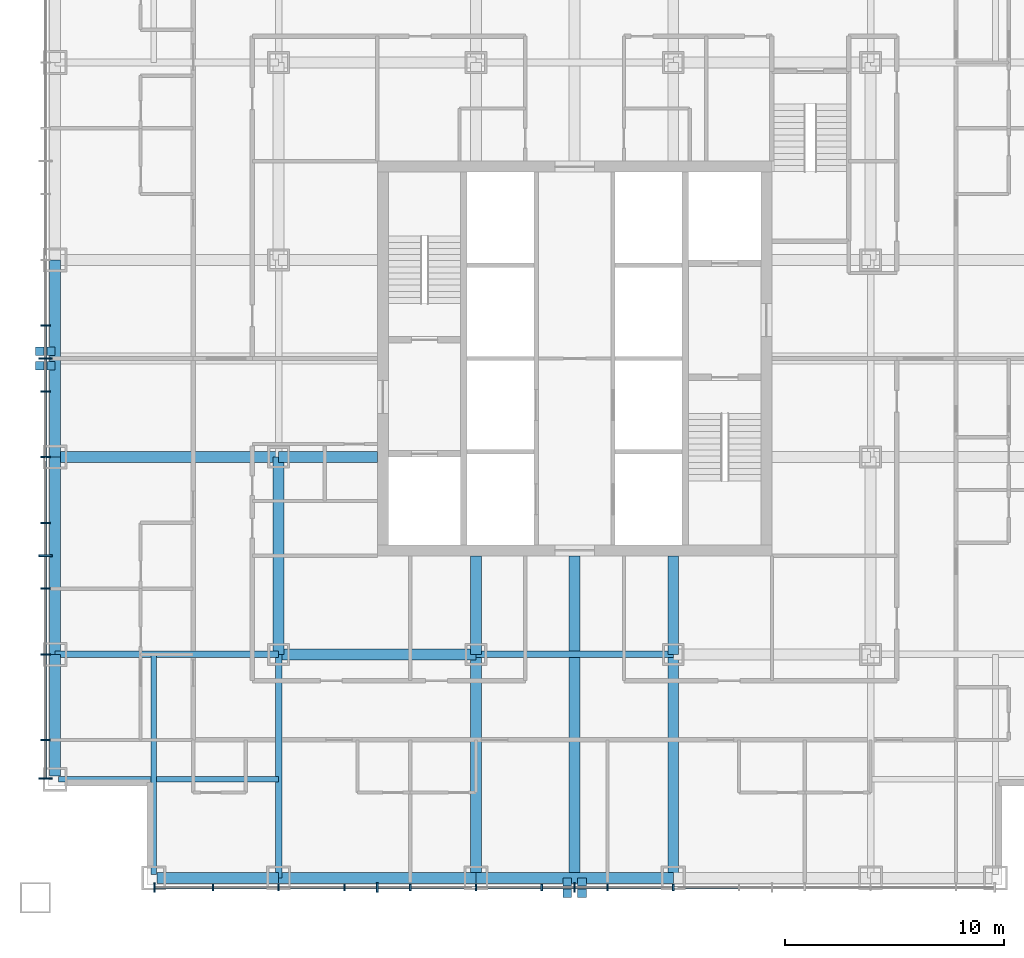
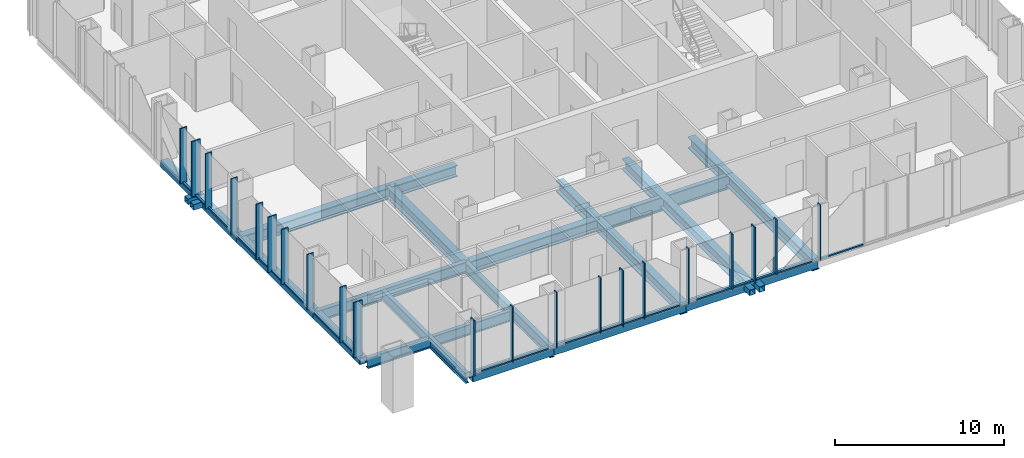
# One storey, part 2 of 17: 45 members, 20 beams, 2 elements without a shape of their own.
"""IFC4 building model written with IfcOpenShell, lengths in metres."""

from ifc_helpers import new_model, si_unit, direction, frame, origin, origin_2d, place, context, subcontext, project, spatial, rectangle, hollow_rectangle, i_section, extrude, material, layer, layer_set, material_profile, profile_set, type_object, element, aggregate, save


model = new_model("IFC4")

# Units and contexts
model_context = context("Model", 3, precision=1e-05, world=origin(), true_north=direction((0.0, 1.0)))
body_context = subcontext(model_context, "Body", "Model", "MODEL_VIEW")
ifc_project = project(units=[si_unit("LENGTHUNIT", "METRE"), si_unit("AREAUNIT", "SQUARE_METRE"), si_unit("VOLUMEUNIT", "CUBIC_METRE"), si_unit("PLANEANGLEUNIT", "RADIAN"), si_unit("MASSUNIT", "GRAM", prefix="KILO")], contexts=[model_context])

# Site, building, storey
site_placement = place(None, origin())
site = spatial("IfcSite", under=ifc_project, at=site_placement, CompositionType="ELEMENT")
building_placement = place(site_placement, origin())
building = spatial("IfcBuilding", under=site, at=building_placement, Name="Malebo Sky Hospital", CompositionType="ELEMENT")
storey_placement = place(building_placement, frame((0.0, 0.0, 120.0)))
storey = spatial("IfcBuildingStorey", under=building, at=storey_placement, Name="L28", CompositionType="ELEMENT", Elevation=120.0)

# Curtain wall, members
ifc_material_1 = material(Name="Anodised aluminium, natural silver", Category="aluminium")
ifc_layer_1 = layer(ifc_material_1, 0.25)
ifc_layer_set_1 = layer_set([ifc_layer_1], Name="WARD CURTAIN WALL EAST AND WEST")
curtain_wall_type_1 = type_object("IfcCurtainWallType", Name="WARD CURTAIN WALL EAST AND WEST", PredefinedType="NOTDEFINED", material=ifc_layer_set_1)
curtain_wall_1_placement = place(storey_placement, origin())
curtain_wall_1 = element("IfcCurtainWall", 1, at=curtain_wall_1_placement, inside=storey, type_object=curtain_wall_type_1, Name="EW curtain wall W", PredefinedType="NOTDEFINED")
ifc_material_profile_1 = material_profile(ifc_material_1, rectangle(XDim=0.14990234375, YDim=0.10009765625, at=origin_2d()), Name="ALUMINIUM TRANSOM 150x100")
ifc_profile_set_1 = profile_set([ifc_material_profile_1], Name="Anodised aluminium, natural silver")
member_type_1 = type_object("IfcMemberType", Name="ALUMINIUM TRANSOM 150x100", PredefinedType="USERDEFINED", material=ifc_profile_set_1)
member_1_placement = place(storey_placement, frame((35.864990234375, 42.875, 0.050048828125), z_axis=(0.0, 1.0, 0.0), x_axis=(-1.0, 0.0, 0.0)))
member_1 = element("IfcMember", 2, at=member_1_placement, type_object=member_type_1, Name="Transom 1", ObjectType="TRANSOM", PredefinedType="USERDEFINED", context=body_context, shape_type="SweptSolid", body=[
    extrude(rectangle(XDim=0.14990234375, YDim=0.10009765625, at=origin_2d()), origin(), (0.0, 0.0, 1.0), 1.6875),
])
member_2_placement = place(storey_placement, frame((35.864990234375, 44.637451171875, 0.050048828125), z_axis=(0.0, 1.0, 0.0), x_axis=(-1.0, 0.0, 0.0)))
member_2 = element("IfcMember", 3, at=member_2_placement, type_object=member_type_1, Name="Transom 2", ObjectType="TRANSOM", PredefinedType="USERDEFINED", context=body_context, shape_type="SweptSolid", body=[
    extrude(rectangle(XDim=0.14990234375, YDim=0.10009765625, at=origin_2d()), origin(), (0.0, 0.0, 1.0), 3.824951171875),
])
member_3_placement = place(storey_placement, frame((35.864990234375, 48.53759765625, 0.050048828125), z_axis=(0.0, 1.0, 0.0), x_axis=(-1.0, 0.0, 0.0)))
member_3 = element("IfcMember", 4, at=member_3_placement, type_object=member_type_1, Name="Transom 3", ObjectType="TRANSOM", PredefinedType="USERDEFINED", context=body_context, shape_type="SweptSolid", body=[
    extrude(rectangle(XDim=0.14990234375, YDim=0.10009765625, at=origin_2d()), origin(), (0.0, 0.0, 1.0), 2.9248046875),
])
member_4_placement = place(storey_placement, frame((35.864990234375, 51.53759765625, 0.050048828125), z_axis=(0.0, 1.0, 0.0), x_axis=(-1.0, 0.0, 0.0)))
member_4 = element("IfcMember", 5, at=member_4_placement, type_object=member_type_1, Name="Transom 4", ObjectType="TRANSOM", PredefinedType="USERDEFINED", context=body_context, shape_type="SweptSolid", body=[
    extrude(rectangle(XDim=0.14990234375, YDim=0.10009765625, at=origin_2d()), origin(), (0.0, 0.0, 1.0), 1.4248046875),
])
member_5_placement = place(storey_placement, frame((35.864990234375, 53.03759765625, 0.050048828125), z_axis=(0.0, 1.0, 0.0), x_axis=(-1.0, 0.0, 0.0)))
member_5 = element("IfcMember", 6, at=member_5_placement, type_object=member_type_1, Name="Transom 5", ObjectType="TRANSOM", PredefinedType="USERDEFINED", context=body_context, shape_type="SweptSolid", body=[
    extrude(rectangle(XDim=0.14990234375, YDim=0.10009765625, at=origin_2d()), origin(), (0.0, 0.0, 1.0), 1.4248046875),
])
member_6_placement = place(storey_placement, frame((35.864990234375, 54.53759765625, 0.050048828125), z_axis=(0.0, 1.0, 0.0), x_axis=(-1.0, 0.0, 0.0)))
member_6 = element("IfcMember", 7, at=member_6_placement, type_object=member_type_1, Name="Transom 6", ObjectType="TRANSOM", PredefinedType="USERDEFINED", context=body_context, shape_type="SweptSolid", body=[
    extrude(rectangle(XDim=0.14990234375, YDim=0.10009765625, at=origin_2d()), origin(), (0.0, 0.0, 1.0), 2.9248046875),
])
member_7_placement = place(storey_placement, frame((35.864990234375, 57.53759765625, 0.050048828125), z_axis=(0.0, 1.0, 0.0), x_axis=(-1.0, 0.0, 0.0)))
member_7 = element("IfcMember", 8, at=member_7_placement, type_object=member_type_1, Name="Transom 7", ObjectType="TRANSOM", PredefinedType="USERDEFINED", context=body_context, shape_type="SweptSolid", body=[
    extrude(rectangle(XDim=0.14990234375, YDim=0.10009765625, at=origin_2d()), origin(), (0.0, 0.0, 1.0), 2.9248046875),
])
member_8_placement = place(storey_placement, frame((35.864990234375, 60.53759765625, 0.050048828125), z_axis=(0.0, 1.0, 0.0), x_axis=(-1.0, 0.0, 0.0)))
member_8 = element("IfcMember", 9, at=member_8_placement, type_object=member_type_1, Name="Transom 8", ObjectType="TRANSOM", PredefinedType="USERDEFINED", context=body_context, shape_type="SweptSolid", body=[
    extrude(rectangle(XDim=0.14990234375, YDim=0.10009765625, at=origin_2d()), origin(), (0.0, 0.0, 1.0), 1.4248046875),
])
member_9_placement = place(storey_placement, frame((35.864990234375, 62.03759765625, 0.050048828125), z_axis=(0.0, 1.0, 0.0), x_axis=(-1.0, 0.0, 0.0)))
member_9 = element("IfcMember", 10, at=member_9_placement, type_object=member_type_1, Name="Transom 9", ObjectType="TRANSOM", PredefinedType="USERDEFINED", context=body_context, shape_type="SweptSolid", body=[
    extrude(rectangle(XDim=0.14990234375, YDim=0.10009765625, at=origin_2d()), origin(), (0.0, 0.0, 1.0), 1.4248046875),
])

ifc_layer_2 = layer(ifc_material_1, 0.25)
ifc_layer_set_2 = layer_set([ifc_layer_2], Name="WARD CURTAIN WALL NORTH AND SOUTH")
curtain_wall_type_2 = type_object("IfcCurtainWallType", Name="WARD CURTAIN WALL NORTH AND SOUTH", PredefinedType="NOTDEFINED", material=ifc_layer_set_2)
curtain_wall_2_placement = place(storey_placement, origin())
curtain_wall_2 = element("IfcCurtainWall", 11, at=curtain_wall_2_placement, inside=storey, type_object=curtain_wall_type_2, Name="NS curtain wall S", PredefinedType="NOTDEFINED")
member_10_placement = place(storey_placement, frame((67.46240234375, 37.864990234375, 0.050048828125), z_axis=(-1.0, 0.0, 0.0), x_axis=(0.0, -1.0, 0.0)))
member_10 = element("IfcMember", 12, at=member_10_placement, type_object=member_type_1, Name="Transom 6", ObjectType="TRANSOM", PredefinedType="USERDEFINED", context=body_context, shape_type="SweptSolid", body=[
    extrude(rectangle(XDim=0.14990234375, YDim=0.10009765625, at=origin_2d()), origin(), (0.0, 0.0, 1.0), 2.9248046875),
])
member_11_placement = place(storey_placement, frame((64.46240234375, 37.864990234375, 0.050048828125), z_axis=(-1.0, 0.0, 0.0), x_axis=(0.0, -1.0, 0.0)))
member_11 = element("IfcMember", 13, at=member_11_placement, type_object=member_type_1, Name="Transom 7", ObjectType="TRANSOM", PredefinedType="USERDEFINED", context=body_context, shape_type="SweptSolid", body=[
    extrude(rectangle(XDim=0.14990234375, YDim=0.10009765625, at=origin_2d()), origin(), (0.0, 0.0, 1.0), 2.9248046875),
])
member_12_placement = place(storey_placement, frame((61.46240234375, 37.864990234375, 0.050048828125), z_axis=(-1.0, 0.0, 0.0), x_axis=(0.0, -1.0, 0.0)))
member_12 = element("IfcMember", 14, at=member_12_placement, type_object=member_type_1, Name="Transom 8", ObjectType="TRANSOM", PredefinedType="USERDEFINED", context=body_context, shape_type="SweptSolid", body=[
    extrude(rectangle(XDim=0.14990234375, YDim=0.10009765625, at=origin_2d()), origin(), (0.0, 0.0, 1.0), 1.4248046875),
])
member_13_placement = place(storey_placement, frame((59.96240234375, 37.864990234375, 0.050048828125), z_axis=(-1.0, 0.0, 0.0), x_axis=(0.0, -1.0, 0.0)))
member_13 = element("IfcMember", 15, at=member_13_placement, type_object=member_type_1, Name="Transom 9", ObjectType="TRANSOM", PredefinedType="USERDEFINED", context=body_context, shape_type="SweptSolid", body=[
    extrude(rectangle(XDim=0.14990234375, YDim=0.10009765625, at=origin_2d()), origin(), (0.0, 0.0, 1.0), 1.4248046875),
])
member_14_placement = place(storey_placement, frame((58.46240234375, 37.864990234375, 0.050048828125), z_axis=(-1.0, 0.0, 0.0), x_axis=(0.0, -1.0, 0.0)))
member_14 = element("IfcMember", 16, at=member_14_placement, type_object=member_type_1, Name="Transom 10", ObjectType="TRANSOM", PredefinedType="USERDEFINED", context=body_context, shape_type="SweptSolid", body=[
    extrude(rectangle(XDim=0.14990234375, YDim=0.10009765625, at=origin_2d()), origin(), (0.0, 0.0, 1.0), 2.9248046875),
])
member_15_placement = place(storey_placement, frame((55.46240234375, 37.864990234375, 0.050048828125), z_axis=(-1.0, 0.0, 0.0), x_axis=(0.0, -1.0, 0.0)))
member_15 = element("IfcMember", 17, at=member_15_placement, type_object=member_type_1, Name="Transom 11", ObjectType="TRANSOM", PredefinedType="USERDEFINED", context=body_context, shape_type="SweptSolid", body=[
    extrude(rectangle(XDim=0.14990234375, YDim=0.10009765625, at=origin_2d()), origin(), (0.0, 0.0, 1.0), 2.9248046875),
])
member_16_placement = place(storey_placement, frame((52.46240234375, 37.864990234375, 0.050048828125), z_axis=(-1.0, 0.0, 0.0), x_axis=(0.0, -1.0, 0.0)))
member_16 = element("IfcMember", 18, at=member_16_placement, type_object=member_type_1, Name="Transom 12", ObjectType="TRANSOM", PredefinedType="USERDEFINED", context=body_context, shape_type="SweptSolid", body=[
    extrude(rectangle(XDim=0.14990234375, YDim=0.10009765625, at=origin_2d()), origin(), (0.0, 0.0, 1.0), 1.4248046875),
])
member_17_placement = place(storey_placement, frame((50.96240234375, 37.864990234375, 0.050048828125), z_axis=(-1.0, 0.0, 0.0), x_axis=(0.0, -1.0, 0.0)))
member_17 = element("IfcMember", 19, at=member_17_placement, type_object=member_type_1, Name="Transom 13", ObjectType="TRANSOM", PredefinedType="USERDEFINED", context=body_context, shape_type="SweptSolid", body=[
    extrude(rectangle(XDim=0.14990234375, YDim=0.10009765625, at=origin_2d()), origin(), (0.0, 0.0, 1.0), 1.4248046875),
])
member_18_placement = place(storey_placement, frame((49.46240234375, 37.864990234375, 0.050048828125), z_axis=(-1.0, 0.0, 0.0), x_axis=(0.0, -1.0, 0.0)))
member_18 = element("IfcMember", 20, at=member_18_placement, type_object=member_type_1, Name="Transom 14", ObjectType="TRANSOM", PredefinedType="USERDEFINED", context=body_context, shape_type="SweptSolid", body=[
    extrude(rectangle(XDim=0.14990234375, YDim=0.10009765625, at=origin_2d()), origin(), (0.0, 0.0, 1.0), 2.9248046875),
])
member_19_placement = place(storey_placement, frame((46.46240234375, 37.864990234375, 0.050048828125), z_axis=(-1.0, 0.0, 0.0), x_axis=(0.0, -1.0, 0.0)))
member_19 = element("IfcMember", 21, at=member_19_placement, type_object=member_type_1, Name="Transom 15", ObjectType="TRANSOM", PredefinedType="USERDEFINED", context=body_context, shape_type="SweptSolid", body=[
    extrude(rectangle(XDim=0.14990234375, YDim=0.10009765625, at=origin_2d()), origin(), (0.0, 0.0, 1.0), 2.9248046875),
])
member_20_placement = place(storey_placement, frame((43.46240234375, 37.864990234375, 0.050048828125), z_axis=(-1.0, 0.0, 0.0), x_axis=(0.0, -1.0, 0.0)))
member_20 = element("IfcMember", 22, at=member_20_placement, type_object=member_type_1, Name="Transom 16", ObjectType="TRANSOM", PredefinedType="USERDEFINED", context=body_context, shape_type="SweptSolid", body=[
    extrude(rectangle(XDim=0.14990234375, YDim=0.10009765625, at=origin_2d()), origin(), (0.0, 0.0, 1.0), 2.58740234375),
])

# Members
ifc_material_2 = material(Name="Steel S355", Category="steel")
ifc_material_profile_2 = material_profile(ifc_material_2, hollow_rectangle(XDim=0.39990234375, YDim=0.39990234375, WallThickness=0.02001953125, at=origin_2d()), Name="SHS 400x20")
ifc_profile_set_2 = profile_set([ifc_material_profile_2], Name="Steel S355")
member_type_2 = type_object("IfcMemberType", Name="BRACE STRUT SHS 400x20", PredefinedType="STRUT", material=ifc_profile_set_2)
for number, where, z_axis, x_axis, name in (
    (23, (60.333740234375, 37.39990234375, -0.39990234375), (0.0, 1.0, 0.0), (-1.0, 0.0, 0.0), "Brace strut BS1 L28"),
    (24, (59.666259765625, 37.39990234375, -0.39990234375), (0.0, 1.0, 0.0), (-1.0, 0.0, 0.0), "Brace strut BS2 L28"),
    (25, (35.39990234375, 61.666259765625, -0.39990234375), (1.0, 0.0, 0.0), (0.0, 1.0, 0.0), "Brace strut BW1 L28"),
    (26, (35.39990234375, 62.333740234375, -0.39990234375), (1.0, 0.0, 0.0), (0.0, 1.0, 0.0), "Brace strut BW2 L28"),
):
    element("IfcMember", number, at=place(storey_placement, frame(where, z_axis=z_axis, x_axis=x_axis)), inside=storey, type_object=member_type_2, Name=name, PredefinedType="STRUT", context=body_context, shape_type="SweptSolid", body=[
        extrude(hollow_rectangle(XDim=0.39990234375, YDim=0.39990234375, WallThickness=0.02001953125, at=origin_2d()), origin(), (0.0, 0.0, 1.0), 0.900146484375),
    ])

# Member
ifc_material_profile_3 = material_profile(ifc_material_1, rectangle(XDim=0.074951171875, YDim=0.300048828125, at=origin_2d()), Name="CW1 ALUMINIUM FIN MULLION 75x300")
ifc_profile_set_3 = profile_set([ifc_material_profile_3], Name="Anodised aluminium, natural silver")
member_type_3 = type_object("IfcMemberType", Name="CW1 ALUMINIUM FIN MULLION 75x300", PredefinedType="MULLION", material=ifc_profile_set_3)
member_21_placement = place(storey_placement, frame((64.5, 37.864990234375, 0.0), z_axis=(0.0, 0.0, 1.0), x_axis=(-1.0, 0.0, 0.0)))
member_21 = element("IfcMember", 27, at=member_21_placement, type_object=member_type_3, Name="Fin mullion 7", PredefinedType="MULLION", context=body_context, shape_type="SweptSolid", body=[
    extrude(rectangle(XDim=0.074951171875, YDim=0.300048828125, at=origin_2d()), origin(), (0.0, 0.0, 1.0), 4.0),
])

member_22_placement = place(storey_placement, frame((61.5, 37.864990234375, 0.0), z_axis=(0.0, 0.0, 1.0), x_axis=(-1.0, 0.0, 0.0)))
member_22 = element("IfcMember", 28, at=member_22_placement, type_object=member_type_3, Name="Fin mullion 8", PredefinedType="MULLION", context=body_context, shape_type="SweptSolid", body=[
    extrude(rectangle(XDim=0.074951171875, YDim=0.300048828125, at=origin_2d()), origin(), (0.0, 0.0, 1.0), 4.0),
])

member_23_placement = place(storey_placement, frame((58.5, 37.864990234375, 0.0), z_axis=(0.0, 0.0, 1.0), x_axis=(-1.0, 0.0, 0.0)))
member_23 = element("IfcMember", 29, at=member_23_placement, type_object=member_type_3, Name="Fin mullion 10", PredefinedType="MULLION", context=body_context, shape_type="SweptSolid", body=[
    extrude(rectangle(XDim=0.074951171875, YDim=0.300048828125, at=origin_2d()), origin(), (0.0, 0.0, 1.0), 4.0),
])

member_24_placement = place(storey_placement, frame((55.5, 37.864990234375, 0.0), z_axis=(0.0, 0.0, 1.0), x_axis=(-1.0, 0.0, 0.0)))
member_24 = element("IfcMember", 30, at=member_24_placement, type_object=member_type_3, Name="Fin mullion 11", PredefinedType="MULLION", context=body_context, shape_type="SweptSolid", body=[
    extrude(rectangle(XDim=0.074951171875, YDim=0.300048828125, at=origin_2d()), origin(), (0.0, 0.0, 1.0), 4.0),
])

member_25_placement = place(storey_placement, frame((52.5, 37.864990234375, 0.0), z_axis=(0.0, 0.0, 1.0), x_axis=(-1.0, 0.0, 0.0)))
member_25 = element("IfcMember", 31, at=member_25_placement, type_object=member_type_3, Name="Fin mullion 12", PredefinedType="MULLION", context=body_context, shape_type="SweptSolid", body=[
    extrude(rectangle(XDim=0.074951171875, YDim=0.300048828125, at=origin_2d()), origin(), (0.0, 0.0, 1.0), 4.0),
])

member_26_placement = place(storey_placement, frame((49.5, 37.864990234375, 0.0), z_axis=(0.0, 0.0, 1.0), x_axis=(-1.0, 0.0, 0.0)))
member_26 = element("IfcMember", 32, at=member_26_placement, type_object=member_type_3, Name="Fin mullion 14", PredefinedType="MULLION", context=body_context, shape_type="SweptSolid", body=[
    extrude(rectangle(XDim=0.074951171875, YDim=0.300048828125, at=origin_2d()), origin(), (0.0, 0.0, 1.0), 4.0),
])

member_27_placement = place(storey_placement, frame((46.5, 37.864990234375, 0.0), z_axis=(0.0, 0.0, 1.0), x_axis=(-1.0, 0.0, 0.0)))
member_27 = element("IfcMember", 33, at=member_27_placement, type_object=member_type_3, Name="Fin mullion 15", PredefinedType="MULLION", context=body_context, shape_type="SweptSolid", body=[
    extrude(rectangle(XDim=0.074951171875, YDim=0.300048828125, at=origin_2d()), origin(), (0.0, 0.0, 1.0), 4.0),
])

member_28_placement = place(storey_placement, frame((43.5, 37.864990234375, 0.0), z_axis=(0.0, 0.0, 1.0), x_axis=(-1.0, 0.0, 0.0)))
member_28 = element("IfcMember", 34, at=member_28_placement, type_object=member_type_3, Name="Fin mullion 16", PredefinedType="MULLION", context=body_context, shape_type="SweptSolid", body=[
    extrude(rectangle(XDim=0.074951171875, YDim=0.300048828125, at=origin_2d()), origin(), (0.0, 0.0, 1.0), 4.0),
])

ifc_material_profile_4 = material_profile(ifc_material_1, rectangle(XDim=0.074951171875, YDim=0.449951171875, at=origin_2d()), Name="CW1 ALUMINIUM FIN MULLION 75x450")
ifc_profile_set_4 = profile_set([ifc_material_profile_4], Name="Anodised aluminium, natural silver")
member_type_4 = type_object("IfcMemberType", Name="CW1 ALUMINIUM FIN MULLION 75x450", PredefinedType="MULLION", material=ifc_profile_set_4)
member_29_placement = place(storey_placement, frame((60.0, 37.864990234375, 0.0), z_axis=(0.0, 0.0, 1.0), x_axis=(-1.0, 0.0, 0.0)))
member_29 = element("IfcMember", 35, at=member_29_placement, type_object=member_type_4, Name="Fin mullion 9", PredefinedType="MULLION", context=body_context, shape_type="SweptSolid", body=[
    extrude(rectangle(XDim=0.074951171875, YDim=0.449951171875, at=origin_2d()), origin(), (0.0, 0.0, 1.0), 4.0),
])

member_30_placement = place(storey_placement, frame((51.0, 37.864990234375, 0.0), z_axis=(0.0, 0.0, 1.0), x_axis=(-1.0, 0.0, 0.0)))
member_30 = element("IfcMember", 36, at=member_30_placement, type_object=member_type_4, Name="Fin mullion 13", PredefinedType="MULLION", context=body_context, shape_type="SweptSolid", body=[
    extrude(rectangle(XDim=0.074951171875, YDim=0.449951171875, at=origin_2d()), origin(), (0.0, 0.0, 1.0), 4.0),
])

member_31_placement = place(storey_placement, frame((40.83740234375, 37.864990234375, 0.0), z_axis=(0.0, 0.0, 1.0), x_axis=(-1.0, 0.0, 0.0)))
member_31 = element("IfcMember", 37, at=member_31_placement, type_object=member_type_4, Name="Fin mullion 17", PredefinedType="MULLION", context=body_context, shape_type="SweptSolid", body=[
    extrude(rectangle(XDim=0.074951171875, YDim=0.449951171875, at=origin_2d()), origin(), (0.0, 0.0, 1.0), 4.0),
])

aggregate(curtain_wall_2, [member_21, member_22, member_29, member_23, member_24, member_25, member_30, member_26, member_27, member_28, member_31, member_10, member_11, member_12, member_13, member_14, member_15, member_16, member_17, member_18, member_19, member_20])

ifc_material_profile_5 = material_profile(ifc_material_1, rectangle(XDim=0.074951171875, YDim=0.449951171875, at=origin_2d()), Name="CW2 ALUMINIUM FIN MULLION 75x450")
ifc_profile_set_5 = profile_set([ifc_material_profile_5], Name="Anodised aluminium, natural silver")
member_type_5 = type_object("IfcMemberType", Name="CW2 ALUMINIUM FIN MULLION 75x450", PredefinedType="MULLION", material=ifc_profile_set_5)
member_32_placement = place(storey_placement, frame((35.864990234375, 44.60009765625, 0.0), z_axis=(0.0, 0.0, 1.0), x_axis=(0.0, 1.0, 0.0)))
member_32 = element("IfcMember", 38, at=member_32_placement, type_object=member_type_5, Name="Fin mullion 2", PredefinedType="MULLION", context=body_context, shape_type="SweptSolid", body=[
    extrude(rectangle(XDim=0.074951171875, YDim=0.449951171875, at=origin_2d()), origin(), (0.0, 0.0, 1.0), 4.0),
])

member_33_placement = place(storey_placement, frame((35.864990234375, 48.5, 0.0), z_axis=(0.0, 0.0, 1.0), x_axis=(0.0, 1.0, 0.0)))
member_33 = element("IfcMember", 39, at=member_33_placement, type_object=member_type_5, Name="Fin mullion 3", PredefinedType="MULLION", context=body_context, shape_type="SweptSolid", body=[
    extrude(rectangle(XDim=0.074951171875, YDim=0.449951171875, at=origin_2d()), origin(), (0.0, 0.0, 1.0), 4.0),
])

member_34_placement = place(storey_placement, frame((35.864990234375, 51.5, 0.0), z_axis=(0.0, 0.0, 1.0), x_axis=(0.0, 1.0, 0.0)))
member_34 = element("IfcMember", 40, at=member_34_placement, type_object=member_type_5, Name="Fin mullion 4", PredefinedType="MULLION", context=body_context, shape_type="SweptSolid", body=[
    extrude(rectangle(XDim=0.074951171875, YDim=0.449951171875, at=origin_2d()), origin(), (0.0, 0.0, 1.0), 4.0),
])

member_35_placement = place(storey_placement, frame((35.864990234375, 54.5, 0.0), z_axis=(0.0, 0.0, 1.0), x_axis=(0.0, 1.0, 0.0)))
member_35 = element("IfcMember", 41, at=member_35_placement, type_object=member_type_5, Name="Fin mullion 6", PredefinedType="MULLION", context=body_context, shape_type="SweptSolid", body=[
    extrude(rectangle(XDim=0.074951171875, YDim=0.449951171875, at=origin_2d()), origin(), (0.0, 0.0, 1.0), 4.0),
])

member_36_placement = place(storey_placement, frame((35.864990234375, 57.5, 0.0), z_axis=(0.0, 0.0, 1.0), x_axis=(0.0, 1.0, 0.0)))
member_36 = element("IfcMember", 42, at=member_36_placement, type_object=member_type_5, Name="Fin mullion 7", PredefinedType="MULLION", context=body_context, shape_type="SweptSolid", body=[
    extrude(rectangle(XDim=0.074951171875, YDim=0.449951171875, at=origin_2d()), origin(), (0.0, 0.0, 1.0), 4.0),
])

member_37_placement = place(storey_placement, frame((35.864990234375, 60.5, 0.0), z_axis=(0.0, 0.0, 1.0), x_axis=(0.0, 1.0, 0.0)))
member_37 = element("IfcMember", 43, at=member_37_placement, type_object=member_type_5, Name="Fin mullion 8", PredefinedType="MULLION", context=body_context, shape_type="SweptSolid", body=[
    extrude(rectangle(XDim=0.074951171875, YDim=0.449951171875, at=origin_2d()), origin(), (0.0, 0.0, 1.0), 4.0),
])

member_38_placement = place(storey_placement, frame((35.864990234375, 63.5, 0.0), z_axis=(0.0, 0.0, 1.0), x_axis=(0.0, 1.0, 0.0)))
member_38 = element("IfcMember", 44, at=member_38_placement, type_object=member_type_5, Name="Fin mullion 10", PredefinedType="MULLION", context=body_context, shape_type="SweptSolid", body=[
    extrude(rectangle(XDim=0.074951171875, YDim=0.449951171875, at=origin_2d()), origin(), (0.0, 0.0, 1.0), 4.0),
])

ifc_material_profile_6 = material_profile(ifc_material_1, rectangle(XDim=0.074951171875, YDim=0.60009765625, at=origin_2d()), Name="CW2 ALUMINIUM FIN MULLION 75x600")
ifc_profile_set_6 = profile_set([ifc_material_profile_6], Name="Anodised aluminium, natural silver")
member_type_6 = type_object("IfcMemberType", Name="CW2 ALUMINIUM FIN MULLION 75x600", PredefinedType="MULLION", material=ifc_profile_set_6)
member_39_placement = place(storey_placement, frame((35.864990234375, 42.83740234375, 0.0), z_axis=(0.0, 0.0, 1.0), x_axis=(0.0, 1.0, 0.0)))
member_39 = element("IfcMember", 45, at=member_39_placement, type_object=member_type_6, Name="Fin mullion 1", PredefinedType="MULLION", context=body_context, shape_type="SweptSolid", body=[
    extrude(rectangle(XDim=0.074951171875, YDim=0.60009765625, at=origin_2d()), origin(), (0.0, 0.0, 1.0), 4.0),
])

member_40_placement = place(storey_placement, frame((35.864990234375, 53.0, 0.0), z_axis=(0.0, 0.0, 1.0), x_axis=(0.0, 1.0, 0.0)))
member_40 = element("IfcMember", 46, at=member_40_placement, type_object=member_type_6, Name="Fin mullion 5", PredefinedType="MULLION", context=body_context, shape_type="SweptSolid", body=[
    extrude(rectangle(XDim=0.074951171875, YDim=0.60009765625, at=origin_2d()), origin(), (0.0, 0.0, 1.0), 4.0),
])

member_41_placement = place(storey_placement, frame((35.864990234375, 62.0, 0.0), z_axis=(0.0, 0.0, 1.0), x_axis=(0.0, 1.0, 0.0)))
member_41 = element("IfcMember", 47, at=member_41_placement, type_object=member_type_6, Name="Fin mullion 9", PredefinedType="MULLION", context=body_context, shape_type="SweptSolid", body=[
    extrude(rectangle(XDim=0.074951171875, YDim=0.60009765625, at=origin_2d()), origin(), (0.0, 0.0, 1.0), 4.0),
])

aggregate(curtain_wall_1, [member_39, member_32, member_33, member_34, member_40, member_35, member_36, member_37, member_41, member_38, member_1, member_2, member_3, member_4, member_5, member_6, member_7, member_8, member_9])

# Beams
ifc_material_3 = material(Name="Steel S460", Category="steel")
ifc_material_profile_7 = material_profile(ifc_material_3, hollow_rectangle(XDim=0.5, YDim=0.5, WallThickness=0.030029296875, at=origin_2d()), Name="BOX 500x500x30")
ifc_profile_set_7 = profile_set([ifc_material_profile_7], Name="Steel S460")
beam_type_1 = type_object("IfcBeamType", Name="EDGE BEAM BOX 500x500x30", PredefinedType="BEAM", material=ifc_profile_set_7)
beam_1_placement = place(storey_placement, frame((36.300048828125, 42.949951171875, -0.5), z_axis=(0.0, 1.0, 0.0), x_axis=(-1.0, 0.0, 0.0)))
element("IfcBeam", 48, at=beam_1_placement, inside=storey, type_object=beam_type_1, Name="Beam 000 L28", PredefinedType="BEAM", context=body_context, shape_type="SweptSolid", body=[
    extrude(hollow_rectangle(XDim=0.5, YDim=0.5, WallThickness=0.030029296875, at=origin_2d()), origin(), (0.0, 0.0, 1.0), 5.550048828125),
])
for number, where, z_axis, x_axis, name in (
    (49, (36.300048828125, 48.5, -0.5), (0.0, 1.0, 0.0), (-1.0, 0.0, 0.0), "Beam 001 L28"),
    (50, (36.300048828125, 57.5, -0.5), (0.0, 1.0, 0.0), (-1.0, 0.0, 0.0), "Beam 002 L28"),
):
    element("IfcBeam", number, at=place(storey_placement, frame(where, z_axis=z_axis, x_axis=x_axis)), inside=storey, type_object=beam_type_1, Name=name, PredefinedType="BEAM", context=body_context, shape_type="SweptSolid", body=[
        extrude(hollow_rectangle(XDim=0.5, YDim=0.5, WallThickness=0.030029296875, at=origin_2d()), origin(), (0.0, 0.0, 1.0), 9.0),
    ])
beam_2_placement = place(storey_placement, frame((40.949951171875, 38.300048828125, -0.5), z_axis=(1.0, 0.0, 0.0), x_axis=(0.0, 1.0, 0.0)))
element("IfcBeam", 51, at=beam_2_placement, inside=storey, type_object=beam_type_1, Name="Beam 034 L28", PredefinedType="BEAM", context=body_context, shape_type="SweptSolid", body=[
    extrude(hollow_rectangle(XDim=0.5, YDim=0.5, WallThickness=0.030029296875, at=origin_2d()), origin(), (0.0, 0.0, 1.0), 5.550048828125),
])
for number, where, z_axis, x_axis, name in (
    (52, (46.5, 38.300048828125, -0.5), (1.0, 0.0, 0.0), (0.0, 1.0, 0.0), "Beam 035 L28"),
    (53, (55.5, 38.300048828125, -0.5), (1.0, 0.0, 0.0), (0.0, 1.0, 0.0), "Beam 036 L28"),
):
    element("IfcBeam", number, at=place(storey_placement, frame(where, z_axis=z_axis, x_axis=x_axis)), inside=storey, type_object=beam_type_1, Name=name, PredefinedType="BEAM", context=body_context, shape_type="SweptSolid", body=[
        extrude(hollow_rectangle(XDim=0.5, YDim=0.5, WallThickness=0.030029296875, at=origin_2d()), origin(), (0.0, 0.0, 1.0), 9.0),
    ])
ifc_material_profile_8 = material_profile(ifc_material_2, i_section(OverallWidth=0.262939453125, OverallDepth=0.7529296875, WebThickness=0.011474609375, FlangeThickness=0.01708984375, FilletRadius=0.01708984375, at=origin_2d()), Name="IPE 750x137")
ifc_profile_set_8 = profile_set([ifc_material_profile_8], Name="Steel S355")
beam_type_2 = type_object("IfcBeamType", Name="FLOOR BEAM IPE 750x137", PredefinedType="BEAM", material=ifc_profile_set_8)
for number, where, z_axis, x_axis, name in (
    (54, (40.800048828125, 38.449951171875, -0.62646484375), (0.0, 1.0, 0.0), (-1.0, 0.0, 0.0), "Beam 005 L28"),
    (55, (36.449951171875, 42.800048828125, -0.62646484375), (1.0, 0.0, 0.0), (0.0, 1.0, 0.0), "Beam 039 L28"),
):
    element("IfcBeam", number, at=place(storey_placement, frame(where, z_axis=z_axis, x_axis=x_axis)), inside=storey, type_object=beam_type_2, Name=name, PredefinedType="BEAM", context=body_context, shape_type="SweptSolid", body=[
        extrude(i_section(OverallWidth=0.262939453125, OverallDepth=0.7529296875, WebThickness=0.011474609375, FlangeThickness=0.01708984375, FilletRadius=0.01708984375, at=origin_2d()), origin(), (0.0, 0.0, 1.0), 10.050048828125),
    ])
ifc_material_profile_9 = material_profile(ifc_material_2, i_section(OverallWidth=0.5, OverallDepth=0.800048828125, WebThickness=0.030029296875, FlangeThickness=0.050048828125, at=origin_2d()), Name="PG 800x500x30x50")
ifc_profile_set_9 = profile_set([ifc_material_profile_9], Name="Steel S355")
beam_type_3 = type_object("IfcBeamType", Name="FLOOR BEAM PG 800x500x30x50", PredefinedType="BEAM", material=ifc_profile_set_9)
beam_3_placement = place(storey_placement, frame((46.5, 48.5, -0.64990234375), z_axis=(0.0, 1.0, 0.0), x_axis=(-1.0, 0.0, 0.0)))
element("IfcBeam", 56, at=beam_3_placement, inside=storey, type_object=beam_type_3, Name="Beam 008 L28", PredefinedType="BEAM", context=body_context, shape_type="SweptSolid", body=[
    extrude(i_section(OverallWidth=0.5, OverallDepth=0.800048828125, WebThickness=0.030029296875, FlangeThickness=0.050048828125, at=origin_2d()), origin(), (0.0, 0.0, 1.0), 9.0),
])
beam_4_placement = place(storey_placement, frame((55.5, 38.300048828125, -0.64990234375), z_axis=(0.0, 1.0, 0.0), x_axis=(-1.0, 0.0, 0.0)))
element("IfcBeam", 57, at=beam_4_placement, inside=storey, type_object=beam_type_3, Name="Beam 012 L28", PredefinedType="BEAM", context=body_context, shape_type="SweptSolid", body=[
    extrude(i_section(OverallWidth=0.5, OverallDepth=0.800048828125, WebThickness=0.030029296875, FlangeThickness=0.050048828125, at=origin_2d()), origin(), (0.0, 0.0, 1.0), 10.199951171875),
])
beam_5_placement = place(storey_placement, frame((55.5, 48.5, -0.64990234375), z_axis=(0.0, 1.0, 0.0), x_axis=(-1.0, 0.0, 0.0)))
element("IfcBeam", 58, at=beam_5_placement, inside=storey, type_object=beam_type_3, Name="Beam 013 L28", PredefinedType="BEAM", context=body_context, shape_type="SweptSolid", body=[
    extrude(i_section(OverallWidth=0.5, OverallDepth=0.800048828125, WebThickness=0.030029296875, FlangeThickness=0.050048828125, at=origin_2d()), origin(), (0.0, 0.0, 1.0), 4.5),
])
beam_6_placement = place(storey_placement, frame((60.0, 38.300048828125, -0.64990234375), z_axis=(0.0, 1.0, 0.0), x_axis=(-1.0, 0.0, 0.0)))
element("IfcBeam", 59, at=beam_6_placement, inside=storey, type_object=beam_type_3, Name="Beam 016 L28", PredefinedType="BEAM", context=body_context, shape_type="SweptSolid", body=[
    extrude(i_section(OverallWidth=0.5, OverallDepth=0.800048828125, WebThickness=0.030029296875, FlangeThickness=0.050048828125, at=origin_2d()), origin(), (0.0, 0.0, 1.0), 14.699951171875),
])
beam_7_placement = place(storey_placement, frame((64.5, 38.300048828125, -0.64990234375), z_axis=(0.0, 1.0, 0.0), x_axis=(-1.0, 0.0, 0.0)))
element("IfcBeam", 60, at=beam_7_placement, inside=storey, type_object=beam_type_3, Name="Beam 018 L28", PredefinedType="BEAM", context=body_context, shape_type="SweptSolid", body=[
    extrude(i_section(OverallWidth=0.5, OverallDepth=0.800048828125, WebThickness=0.030029296875, FlangeThickness=0.050048828125, at=origin_2d()), origin(), (0.0, 0.0, 1.0), 10.199951171875),
])
beam_8_placement = place(storey_placement, frame((64.5, 48.5, -0.64990234375), z_axis=(0.0, 1.0, 0.0), x_axis=(-1.0, 0.0, 0.0)))
element("IfcBeam", 61, at=beam_8_placement, inside=storey, type_object=beam_type_3, Name="Beam 019 L28", PredefinedType="BEAM", context=body_context, shape_type="SweptSolid", body=[
    extrude(i_section(OverallWidth=0.5, OverallDepth=0.800048828125, WebThickness=0.030029296875, FlangeThickness=0.050048828125, at=origin_2d()), origin(), (0.0, 0.0, 1.0), 4.5),
])
beam_9_placement = place(storey_placement, frame((46.5, 48.5, -0.64990234375), z_axis=(1.0, 0.0, 0.0), x_axis=(0.0, 1.0, 0.0)))
element("IfcBeam", 62, at=beam_9_placement, inside=storey, type_object=beam_type_3, Name="Beam 042 L28", PredefinedType="BEAM", context=body_context, shape_type="SweptSolid", body=[
    extrude(i_section(OverallWidth=0.5, OverallDepth=0.800048828125, WebThickness=0.030029296875, FlangeThickness=0.050048828125, at=origin_2d()), origin(), (0.0, 0.0, 1.0), 9.0),
])
beam_10_placement = place(storey_placement, frame((36.300048828125, 57.5, -0.64990234375), z_axis=(1.0, 0.0, 0.0), x_axis=(0.0, 1.0, 0.0)))
element("IfcBeam", 63, at=beam_10_placement, inside=storey, type_object=beam_type_3, Name="Beam 046 L28", PredefinedType="BEAM", context=body_context, shape_type="SweptSolid", body=[
    extrude(i_section(OverallWidth=0.5, OverallDepth=0.800048828125, WebThickness=0.030029296875, FlangeThickness=0.050048828125, at=origin_2d()), origin(), (0.0, 0.0, 1.0), 10.199951171875),
])
beam_11_placement = place(storey_placement, frame((46.5, 57.5, -0.64990234375), z_axis=(1.0, 0.0, 0.0), x_axis=(0.0, 1.0, 0.0)))
element("IfcBeam", 64, at=beam_11_placement, inside=storey, type_object=beam_type_3, Name="Beam 047 L28", PredefinedType="BEAM", context=body_context, shape_type="SweptSolid", body=[
    extrude(i_section(OverallWidth=0.5, OverallDepth=0.800048828125, WebThickness=0.030029296875, FlangeThickness=0.050048828125, at=origin_2d()), origin(), (0.0, 0.0, 1.0), 4.5),
])
ifc_material_profile_10 = material_profile(ifc_material_2, i_section(OverallWidth=0.300048828125, OverallDepth=0.800048828125, WebThickness=0.017578125, FlangeThickness=0.032958984375, FilletRadius=0.030029296875, at=origin_2d()), Name="HEB 800")
ifc_profile_set_10 = profile_set([ifc_material_profile_10], Name="Steel S355")
beam_type_4 = type_object("IfcBeamType", Name="FLOOR GIRDER HEB 800", PredefinedType="BEAM", material=ifc_profile_set_10)
for number, where, z_axis, x_axis, name in (
    (65, (46.5, 38.300048828125, -0.64990234375), (0.0, 1.0, 0.0), (-1.0, 0.0, 0.0), "Beam 007 L28"),
    (66, (36.300048828125, 48.5, -0.64990234375), (1.0, 0.0, 0.0), (0.0, 1.0, 0.0), "Beam 041 L28"),
):
    element("IfcBeam", number, at=place(storey_placement, frame(where, z_axis=z_axis, x_axis=x_axis)), inside=storey, type_object=beam_type_4, Name=name, PredefinedType="BEAM", context=body_context, shape_type="SweptSolid", body=[
        extrude(i_section(OverallWidth=0.300048828125, OverallDepth=0.800048828125, WebThickness=0.017578125, FlangeThickness=0.032958984375, FilletRadius=0.030029296875, at=origin_2d()), origin(), (0.0, 0.0, 1.0), 10.199951171875),
    ])
ifc_material_profile_11 = material_profile(ifc_material_2, i_section(OverallWidth=0.300048828125, OverallDepth=1.0, WebThickness=0.01904296875, FlangeThickness=0.035888671875, FilletRadius=0.030029296875, at=origin_2d()), Name="HEB 1000")
ifc_profile_set_11 = profile_set([ifc_material_profile_11], Name="Steel S355")
beam_type_5 = type_object("IfcBeamType", Name="RING GIRDER HEB 1000", PredefinedType="BEAM", material=ifc_profile_set_11)
beam_12_placement = place(storey_placement, frame((55.5, 48.5, -0.75), z_axis=(1.0, 0.0, 0.0), x_axis=(0.0, 1.0, 0.0)))
element("IfcBeam", 67, at=beam_12_placement, inside=storey, type_object=beam_type_5, Name="Beam 043 L28", PredefinedType="BEAM", context=body_context, shape_type="SweptSolid", body=[
    extrude(i_section(OverallWidth=0.300048828125, OverallDepth=1.0, WebThickness=0.01904296875, FlangeThickness=0.035888671875, FilletRadius=0.030029296875, at=origin_2d()), origin(), (0.0, 0.0, 1.0), 9.0),
])

save(model, "model.ifc")
